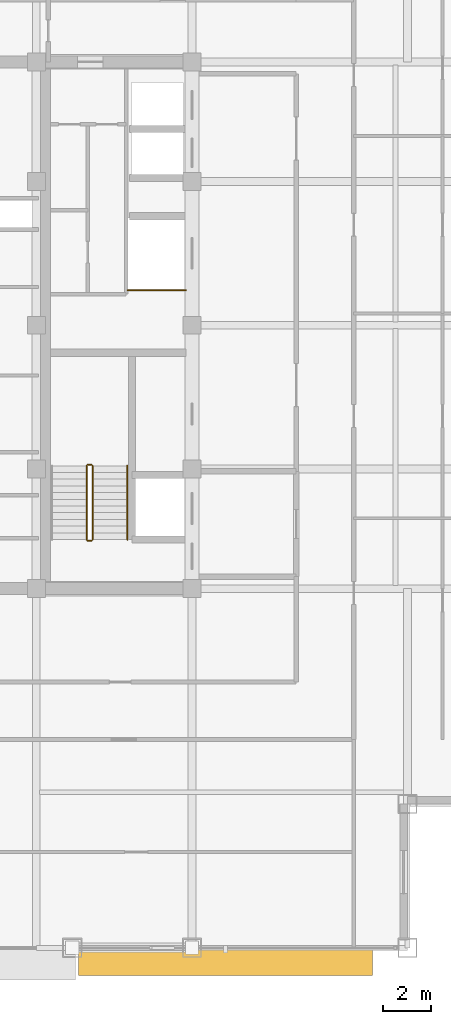
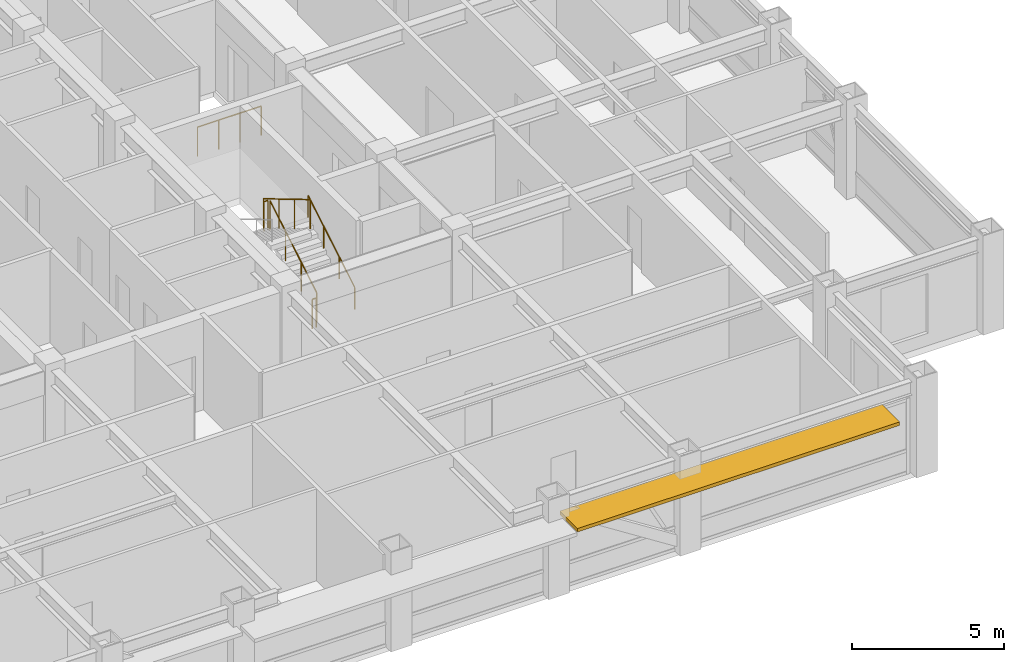
# One storey, part 30 of 32: 6 railings, 1 shading device.
"""IFC4 building model written with IfcOpenShell, lengths in metres."""

import ifcopenshell
import ifcopenshell.guid

model = None  # the IFC model being written
_history = None  # IfcOwnerHistory: only IFC2X3 demands one
_inside = {}  # id of a spatial element -> (the spatial element, [elements in it])
_under = {}  # id of a project, library or spatial element -> (it, [spatial elements below it])
_declared = {}  # id of a project -> (the project, [libraries it declares])
_typed = {}  # id of a type object -> (the type object, [elements of that type])
_made_of = {}  # id of a material, layer set ... -> (it, [elements and type objects made of it])


def new_model(schema):
    """Start an empty IFC model of exactly this schema.

    Asked for "IFC4X3", IfcOpenShell would pick the latest addendum, in which some entities
    have other attributes; the version numbers below select the first issue.
    IFC2X3 requires an IfcOwnerHistory on every rooted entity: one is made here for all.
    """
    global model, _history
    if schema == "IFC4X3":
        model = ifcopenshell.file(schema_version=(4, 3, 0, 0))
    else:
        model = ifcopenshell.file(schema=schema)
    _inside.clear()
    _under.clear()
    _declared.clear()
    _typed.clear()
    _made_of.clear()
    _history = None
    if model.schema == "IFC2X3":
        org = make("IfcOrganization", Name="unknown")
        user = make(
            "IfcPersonAndOrganization",
            ThePerson=make("IfcPerson", FamilyName="unknown"),
            TheOrganization=org,
        )
        app = make(
            "IfcApplication",
            ApplicationDeveloper=org,
            Version="unknown",
            ApplicationFullName="unknown",
            ApplicationIdentifier="unknown",
        )
        _history = make(
            "IfcOwnerHistory",
            OwningUser=user,
            OwningApplication=app,
            ChangeAction="ADDED",
            CreationDate=0,
        )
    return model


def make(cls, **values):
    """One entity of the class cls with the attributes given. An attribute that is None is left unset."""
    return model.create_entity(
        cls, **{name: value for name, value in values.items() if value is not None}
    )


def rooted(cls, **values):
    """An entity with a GlobalId (a new one), such as an element, a storey or a relation."""
    return make(cls, GlobalId=ifcopenshell.guid.new(), OwnerHistory=_history, **values)


def si_unit(unit_type, name, prefix=None):
    """IfcSIUnit, for example si_unit("LENGTHUNIT", "METRE", prefix="MILLI")."""
    return make("IfcSIUnit", UnitType=unit_type, Prefix=prefix, Name=name)


def assignment(units):
    """IfcUnitAssignment: the units of a project."""
    return None if units is None else make("IfcUnitAssignment", Units=units)


def point(xyz):
    """IfcCartesianPoint."""
    return None if xyz is None else make("IfcCartesianPoint", Coordinates=xyz)


def direction(xyz):
    """IfcDirection."""
    return None if xyz is None else make("IfcDirection", DirectionRatios=xyz)


def frame(location, z_axis=None, x_axis=None):
    """IfcAxis2Placement3D, a coordinate frame: its origin and axes. An axis left out is left unset."""
    return make(
        "IfcAxis2Placement3D",
        Location=point(location),
        Axis=direction(z_axis),
        RefDirection=direction(x_axis),
    )


def frame_2d(location, x_axis=None):
    """IfcAxis2Placement2D, a coordinate frame in the plane: its origin and x axis."""
    return make(
        "IfcAxis2Placement2D", Location=point(location), RefDirection=direction(x_axis)
    )


def origin():
    """The frame at (0, 0, 0) with its axes left unset."""
    return frame((0.0, 0.0, 0.0))


def origin_2d():
    """The frame at (0, 0) in the plane with its x axis left unset."""
    return frame_2d((0.0, 0.0))


def place(relative_to, where):
    """IfcLocalPlacement: puts the frame where relative to a parent placement (None: the world)."""
    return make(
        "IfcLocalPlacement", PlacementRelTo=relative_to, RelativePlacement=where
    )


def context(
    kind, dimensions, precision=None, world=None, true_north=None, identifier=None
):
    """IfcGeometricRepresentationContext, for example the 3D "Model" context."""
    return make(
        "IfcGeometricRepresentationContext",
        ContextIdentifier=identifier,
        ContextType=kind,
        CoordinateSpaceDimension=dimensions,
        Precision=precision,
        WorldCoordinateSystem=world,
        TrueNorth=true_north,
    )


def subcontext(parent, identifier, kind, view, scale=None):
    """IfcGeometricRepresentationSubContext, for example "Body" below "Model"."""
    return make(
        "IfcGeometricRepresentationSubContext",
        ContextIdentifier=identifier,
        ContextType=kind,
        ParentContext=parent,
        TargetScale=scale,
        TargetView=view,
    )


def project(units=None, contexts=None):
    """IfcProject with its units and contexts."""
    return rooted(
        "IfcProject",
        Name="project",
        RepresentationContexts=contexts,
        UnitsInContext=assignment(units),
    )


def spatial(cls, under=None, at=None, **own):
    """A site, building, storey or space (cls), placed at a placement, below another one or the project."""
    s = rooted(cls, ObjectPlacement=at, **own)
    if under is not None:
        _under.setdefault(under.id(), (under, []))[1].append(s)
    return s


def profile(cls, at=None, kind="AREA", **sizes):
    """A parametric profile (cls). Its sizes go by their IFC names, for example OverallWidth=200.0."""
    return make(cls, ProfileType=kind, Position=at, **sizes)


def rectangle(**sizes):
    """IfcRectangleProfileDef."""
    return profile("IfcRectangleProfileDef", **sizes)


def circle(**sizes):
    """IfcCircleProfileDef."""
    return profile("IfcCircleProfileDef", **sizes)


def extrude(swept, where, along, depth):
    """IfcExtrudedAreaSolid: the profile swept, set in the frame where, extruded along a direction by depth."""
    return make(
        "IfcExtrudedAreaSolid",
        SweptArea=swept,
        Position=where,
        ExtrudedDirection=direction(along),
        Depth=depth,
    )


def shape(context_of_items, identifier, shape_type, items):
    """IfcShapeRepresentation: the items that make up one representation, for example the "Body"."""
    return make(
        "IfcShapeRepresentation",
        ContextOfItems=context_of_items,
        RepresentationIdentifier=identifier,
        RepresentationType=shape_type,
        Items=items,
    )


def source(mapping_origin, context_of_items, identifier, shape_type, items):
    """IfcRepresentationMap: a shape defined once, which mapped items show again and again."""
    return make(
        "IfcRepresentationMap",
        MappingOrigin=mapping_origin,
        MappedRepresentation=shape(context_of_items, identifier, shape_type, items),
    )


def transform(
    local_origin,
    x_axis=None,
    y_axis=None,
    z_axis=None,
    scale=None,
    scale2=None,
    scale3=None,
    uniform=True,
):
    """IfcCartesianTransformationOperator3D, or its non-uniform kind. x_axis, y_axis, z_axis: its Axis1, 2, 3."""
    if uniform:
        return make(
            "IfcCartesianTransformationOperator3D",
            Axis1=direction(x_axis),
            Axis2=direction(y_axis),
            LocalOrigin=point(local_origin),
            Scale=scale,
            Axis3=direction(z_axis),
        )
    return make(
        "IfcCartesianTransformationOperator3DnonUniform",
        Axis1=direction(x_axis),
        Axis2=direction(y_axis),
        LocalOrigin=point(local_origin),
        Scale=scale,
        Axis3=direction(z_axis),
        Scale2=scale2,
        Scale3=scale3,
    )


def mapped(mapping_source, mapping_target):
    """IfcMappedItem: shows the shape of a source again, moved by a transform."""
    return make(
        "IfcMappedItem", MappingSource=mapping_source, MappingTarget=mapping_target
    )


def material(Name=None, Category=None):
    """IfcMaterial."""
    return make("IfcMaterial", Name=Name, Category=Category)


def layer(
    of_material, thickness, ventilated=None, Name=None, Category=None, Priority=None
):
    """IfcMaterialLayer: one layer of a wall or slab, of a material (None: an air gap)."""
    return make(
        "IfcMaterialLayer",
        Material=of_material,
        LayerThickness=thickness,
        IsVentilated=ventilated,
        Name=Name,
        Category=Category,
        Priority=Priority,
    )


def layer_set(layers, Name=None):
    """IfcMaterialLayerSet."""
    return make("IfcMaterialLayerSet", MaterialLayers=layers, LayerSetName=Name)


def made_of(thing, what):
    """Note that an element or type object is made of a material, layer set ...; save() writes the relation."""
    if what is not None:
        _made_of.setdefault(what.id(), (what, []))[1].append(thing)
    return thing


def type_object(cls, material=None, **own):
    """A type object (cls), such as IfcWallType, which elements share."""
    return made_of(rooted(cls, **own), material)


def element(
    cls,
    number,
    at=None,
    inside=None,
    cuts=None,
    type_object=None,
    material=None,
    context=None,
    identifier="Body",
    shape_type=None,
    held_by="IfcProductDefinitionShape",
    body=None,
    shapes=None,
    **own,
):
    """One element of the class cls, such as IfcWall. Its Tag is "e" and its number.

    at: its placement. inside: the storey or other place that contains it. cuts: it is an
    opening in that element (IfcRelVoidsElement). A single representation is given by context,
    identifier, shape_type and body (its items); several are given by shapes. held_by: the class
    of the entity that holds the representations. save() writes the other relations.
    """
    e = rooted(cls, Tag="e%d" % number, ObjectPlacement=at, **own)
    if body is not None:
        shapes = [shape(context, identifier, shape_type, body)]
    if shapes is not None:
        e.Representation = make(held_by, Representations=shapes)
    if inside is not None:
        _inside.setdefault(inside.id(), (inside, []))[1].append(e)
    if cuts is not None:
        rooted(
            "IfcRelVoidsElement", RelatingBuildingElement=cuts, RelatedOpeningElement=e
        )
    if type_object is not None:
        _typed.setdefault(type_object.id(), (type_object, []))[1].append(e)
    return made_of(e, material)


def aggregate(whole, parts):
    """IfcRelAggregates: a whole, such as a stair, and the parts it consists of."""
    return rooted("IfcRelAggregates", RelatingObject=whole, RelatedObjects=parts)


def save(model, path):
    """Write the relations noted so far, then the file.

    IfcRelAggregates (storeys below a building ...), IfcRelContainedInSpatialStructure (elements
    in a storey), IfcRelDefinesByType, IfcRelAssociatesMaterial and IfcRelDeclares: one each for
    every whole, place, type object, material and project.
    """
    for whole, parts in _under.values():
        aggregate(whole, parts)
    for where, things in _inside.values():
        rooted(
            "IfcRelContainedInSpatialStructure",
            RelatedElements=things,
            RelatingStructure=where,
        )
    for kind, things in _typed.values():
        rooted("IfcRelDefinesByType", RelatedObjects=things, RelatingType=kind)
    for what, things in _made_of.values():
        rooted("IfcRelAssociatesMaterial", RelatedObjects=things, RelatingMaterial=what)
    for by, libraries in _declared.values():
        rooted("IfcRelDeclares", RelatingContext=by, RelatedDefinitions=libraries)
    model.write(path)


model = new_model("IFC4")

# Units and contexts
model_context = context("Model", 3, precision=1e-05, world=origin(), true_north=direction((0.0, 1.0)))
body_context = subcontext(model_context, "Body", "Model", "MODEL_VIEW")
ifc_project = project(units=[si_unit("LENGTHUNIT", "METRE"), si_unit("AREAUNIT", "SQUARE_METRE"), si_unit("VOLUMEUNIT", "CUBIC_METRE"), si_unit("PLANEANGLEUNIT", "RADIAN"), si_unit("MASSUNIT", "GRAM", prefix="KILO")], contexts=[model_context])

# Site, building, storey
site_placement = place(None, origin())
site = spatial("IfcSite", under=ifc_project, at=site_placement, CompositionType="ELEMENT")
building_placement = place(site_placement, origin())
building = spatial("IfcBuilding", under=site, at=building_placement, Name="Khorayat Bourse Tower", CompositionType="ELEMENT")
storey_placement = place(building_placement, frame((0.0, 0.0, 342.300048828125)))
storey = spatial("IfcBuildingStorey", under=building, at=storey_placement, Name="L81", CompositionType="ELEMENT", Elevation=342.300048828125)

# Shading device
ifc_material_1 = material(Name="Precast concrete C45/55", Category="concrete")
ifc_layer = layer(ifc_material_1, 0.139892578125)
ifc_layer_set = layer_set([ifc_layer], Name="Precast concrete C45/55")
shading_device_type = type_object("IfcShadingDeviceType", Name="SHD-WAVE-TRAY-B", PredefinedType="USERDEFINED", material=ifc_layer_set)
shared_shape_1 = source(origin(), body_context, "Body", "SweptSolid", [
    extrude(rectangle(XDim=12.260009765625, YDim=1.173095703125, at=origin_2d()), origin(), (0.0, 0.0, 1.0), 0.139892578125),
])
shading_device_placement = place(storey_placement, frame((12.39990234375, -26.566650390625, 2.9501953125), z_axis=(0.0, 0.0, 1.0), x_axis=(1.0, 0.0, 0.0)))
element("IfcShadingDevice", 1, at=shading_device_placement, inside=storey, type_object=shading_device_type, Name="L81 Sinusoidal Wave Sunshade Tray S-3", ObjectType="SUNSHADE", PredefinedType="USERDEFINED", context=body_context, shape_type="MappedRepresentation", body=[
    mapped(shared_shape_1, transform((0.0, 0.0, 0.0), scale=1.0)),
])

# Railings
ifc_material_2 = material(Name="Powder-coated steel balustrade", Category="steel")
railing_type_1 = type_object("IfcRailingType", Name="RLG-GUARD-1200", PredefinedType="GUARDRAIL", material=ifc_material_2)
shared_shape_2 = source(origin(), body_context, "Body", "SweptSolid", [
    extrude(circle(Radius=0.02392578125, at=origin_2d()), frame((0.0, 0.0, 1.17578125), z_axis=(-1.0, 0.0, 0.0), x_axis=(0.0, -1.0, 0.0)), (0.0, 0.0, 1.0), 0.150146484375),
    extrude(circle(Radius=0.02099609375, at=origin_2d()), origin(), (0.0, 0.0, 1.0), 1.15185546875),
    extrude(circle(Radius=0.02099609375, at=origin_2d()), frame((-0.150146484375, 0.0, 0.0)), (0.0, 0.0, 1.0), 1.15185546875),
])
for number, where, name in (
    (2, (6.800048828125, -5.820068359375, 2.0), "L81 ST-3 stair guard 2"),
    (3, (6.800048828125, -9.0, 0.0), "L81 ST-3 stair guard 4"),
):
    element("IfcRailing", number, at=place(storey_placement, frame(where)), inside=storey, type_object=railing_type_1, Name=name, PredefinedType="GUARDRAIL", context=body_context, shape_type="MappedRepresentation", body=[
        mapped(shared_shape_2, transform((0.0, 0.0, 0.0), scale=1.0)),
    ])
shared_shape_3 = source(origin(), body_context, "Body", "SweptSolid", [
    extrude(circle(Radius=0.02392578125, at=origin_2d()), frame((0.0, 0.0, 1.17578125), z_axis=(0.0, 0.859260807169, 0.511537745687), x_axis=(-1.0, 0.0, 0.0)), (0.0, 0.0, 1.0), 3.584228515625),
    extrude(circle(Radius=0.02099609375, at=origin_2d()), origin(), (0.0, 0.0, 1.0), 1.15185546875),
    extrude(circle(Radius=0.02099609375, at=origin_2d()), frame((0.0, 1.026611328125, 0.611083984375)), (0.0, 0.0, 1.0), 1.15185546875),
    extrude(circle(Radius=0.02099609375, at=origin_2d()), frame((0.0, 2.05322265625, 1.222412109375)), (0.0, 0.0, 1.0), 1.15185546875),
    extrude(circle(Radius=0.02099609375, at=origin_2d()), frame((0.0, 3.079833984375, 1.83349609375)), (0.0, 0.0, 1.0), 1.15185546875),
])
railing_1_placement = place(storey_placement, frame((6.85009765625, -8.949951171875, 0.16650390625)))
element("IfcRailing", 4, at=railing_1_placement, inside=storey, type_object=railing_type_1, Name="L81 ST-3 stair guard 1", PredefinedType="GUARDRAIL", context=body_context, shape_type="MappedRepresentation", body=[
    mapped(shared_shape_3, transform((0.0, 0.0, 0.0), scale=1.0)),
])
shared_shape_4 = source(origin(), body_context, "Body", "SweptSolid", [
    extrude(circle(Radius=0.02392578125, at=origin_2d()), frame((0.0, 0.0, 1.17578125), z_axis=(0.0, -0.859260807169, 0.511537745687), x_axis=(1.0, 0.0, 0.0)), (0.0, 0.0, 1.0), 3.584228515625),
    extrude(circle(Radius=0.02099609375, at=origin_2d()), origin(), (0.0, 0.0, 1.0), 1.15185546875),
    extrude(circle(Radius=0.02099609375, at=origin_2d()), frame((0.0, -1.026611328125, 0.611083984375)), (0.0, 0.0, 1.0), 1.15185546875),
    extrude(circle(Radius=0.02099609375, at=origin_2d()), frame((0.0, -2.05322265625, 1.222412109375)), (0.0, 0.0, 1.0), 1.15185546875),
    extrude(circle(Radius=0.02099609375, at=origin_2d()), frame((0.0, -3.079833984375, 1.83349609375)), (0.0, 0.0, 1.0), 1.15185546875),
])
railing_2_placement = place(storey_placement, frame((6.60009765625, -5.8701171875, 2.16650390625)))
element("IfcRailing", 5, at=railing_2_placement, inside=storey, type_object=railing_type_1, Name="L81 ST-3 stair guard 3", PredefinedType="GUARDRAIL", context=body_context, shape_type="MappedRepresentation", body=[
    mapped(shared_shape_4, transform((0.0, 0.0, 0.0), scale=1.0)),
])
ifc_material_3 = material(Name="Brushed bronze stainless-steel handrail", Category="steel")
railing_type_2 = type_object("IfcRailingType", Name="RLG-HAND-900", PredefinedType="HANDRAIL", material=ifc_material_3)
shared_shape_5 = source(origin(), body_context, "Body", "SweptSolid", [
    extrude(circle(Radius=0.02392578125, at=origin_2d()), frame((0.0, 0.0, 0.8759765625), z_axis=(0.0, 0.859260807169, 0.511537745687), x_axis=(-1.0, 0.0, 0.0)), (0.0, 0.0, 1.0), 3.584228515625),
    extrude(circle(Radius=0.02099609375, at=origin_2d()), origin(), (0.0, 0.0, 1.0), 0.851806640625),
    extrude(circle(Radius=0.02099609375, at=origin_2d()), frame((0.0, 1.026611328125, 0.611083984375)), (0.0, 0.0, 1.0), 0.851806640625),
    extrude(circle(Radius=0.02099609375, at=origin_2d()), frame((0.0, 2.05322265625, 1.222412109375)), (0.0, 0.0, 1.0), 0.851806640625),
    extrude(circle(Radius=0.02099609375, at=origin_2d()), frame((0.0, 3.079833984375, 1.83349609375)), (0.0, 0.0, 1.0), 0.851806640625),
])
railing_3_placement = place(storey_placement, frame((8.300048828125, -8.949951171875, 0.16650390625)))
element("IfcRailing", 6, at=railing_3_placement, inside=storey, type_object=railing_type_2, Name="L81 ST-3 stair handrail 1", PredefinedType="HANDRAIL", context=body_context, shape_type="MappedRepresentation", body=[
    mapped(shared_shape_5, transform((0.0, 0.0, 0.0), scale=1.0)),
])
shared_shape_6 = source(origin(), body_context, "Body", "SweptSolid", [
    extrude(circle(Radius=0.02392578125, at=origin_2d()), frame((0.0, 0.0, 1.17578125), z_axis=(1.0, 0.0, 0.0), x_axis=(0.0, 1.0, 0.0)), (0.0, 0.0, 1.0), 2.429931640625),
    extrude(circle(Radius=0.02099609375, at=origin_2d()), origin(), (0.0, 0.0, 1.0), 1.15185546875),
    extrude(circle(Radius=0.02099609375, at=origin_2d()), frame((0.81005859375, 0.0, 0.0)), (0.0, 0.0, 1.0), 1.15185546875),
    extrude(circle(Radius=0.02099609375, at=origin_2d()), frame((1.619873046875, 0.0, 0.0)), (0.0, 0.0, 1.0), 1.15185546875),
    extrude(circle(Radius=0.02099609375, at=origin_2d()), frame((2.429931640625, 0.0, 0.0)), (0.0, 0.0, 1.0), 1.15185546875),
])
railing_4_placement = place(storey_placement, frame((8.320068359375, 1.4599609375, 0.0)))
element("IfcRailing", 7, at=railing_4_placement, inside=storey, type_object=railing_type_1, Name="L81 Goods Shaft Opening Guardrail", PredefinedType="GUARDRAIL", context=body_context, shape_type="MappedRepresentation", body=[
    mapped(shared_shape_6, transform((0.0, 0.0, 0.0), scale=1.0)),
])

save(model, "model.ifc")
